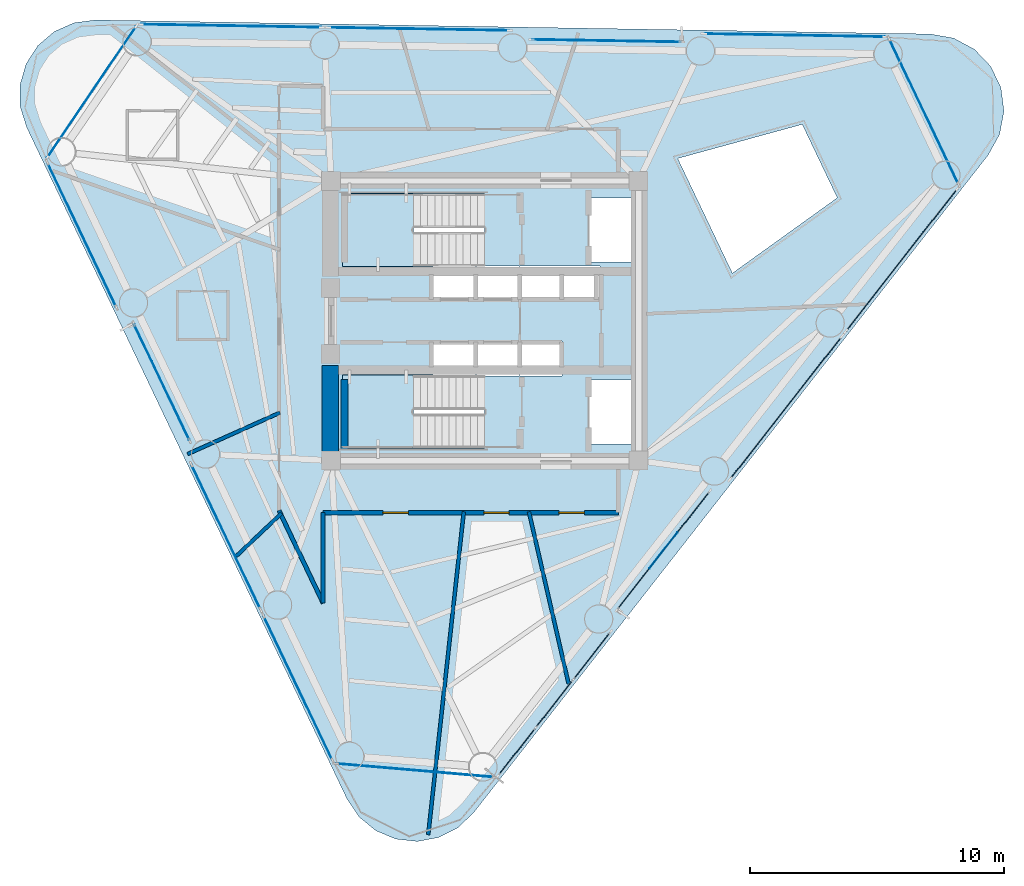
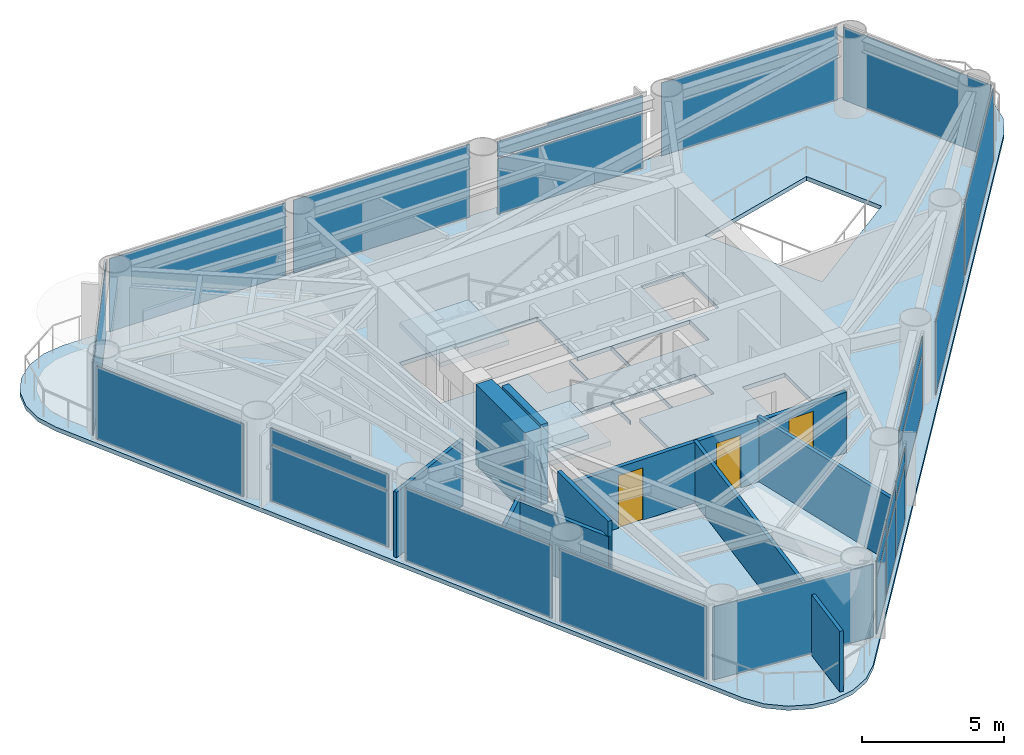
# One storey, part 4 of 9: 26 plates, 9 walls, 3 doors, 3 slabs, 3 openings, 17 elements without a shape of their own.
"""IFC4 building model written with IfcOpenShell, lengths in metres."""

from ifc_helpers import new_model, si_unit, direction, frame, frame_2d, origin, origin_2d, place, context, subcontext, project, spatial, polyline, rectangle, outline, extrude, source, transform, mapped, material, layer, layer_set, type_object, element, fill, aggregate, save


model = new_model("IFC4")

# Units and contexts
model_context = context("Model", 3, precision=1e-05, world=origin(), true_north=direction((0.0, 1.0)))
body_context = subcontext(model_context, "Body", "Model", "MODEL_VIEW")
ifc_project = project(units=[si_unit("LENGTHUNIT", "METRE"), si_unit("AREAUNIT", "SQUARE_METRE"), si_unit("VOLUMEUNIT", "CUBIC_METRE"), si_unit("PLANEANGLEUNIT", "RADIAN"), si_unit("MASSUNIT", "GRAM", prefix="KILO")], contexts=[model_context])

# Site, building, storey
site_placement = place(None, origin())
site = spatial("IfcSite", under=ifc_project, at=site_placement, CompositionType="ELEMENT")
building_placement = place(site_placement, origin())
building = spatial("IfcBuilding", under=site, at=building_placement, Name="Yunling Apex Tower", CompositionType="ELEMENT")
storey_placement = place(building_placement, frame((0.0, 0.0, 201.800048828125)))
storey = spatial("IfcBuildingStorey", under=building, at=storey_placement, Name="L49", CompositionType="ELEMENT", Elevation=201.800048828125)

# Slab
ifc_material_1 = material(Name="Concrete C40", Category="concrete")
ifc_layer_1 = layer(ifc_material_1, 0.1650390625)
ifc_layer_set_1 = layer_set([ifc_layer_1], Name="Concrete C40")
slab_type_1 = type_object("IfcSlabType", Name="SL-FLR-2", PredefinedType="FLOOR", material=ifc_layer_set_1)
slab_1_placement = place(storey_placement, frame((0.0, 0.0, -0.179931640625)))
element("IfcSlab", 1, at=slab_1_placement, inside=storey, type_object=slab_type_1, Name="L49 Composite Tower Floor Slab", PredefinedType="FLOOR", context=body_context, shape_type="SweptSolid", body=[
    extrude(outline(polyline([(-5.42578125, -18.80419921875), (-4.95068359375, -19.513427734375), (-4.29248046875, -20.056884765625), (-3.506103515625, -20.38916015625), (-2.65771484375, -20.482421875), (-1.818115234375, -20.32861328125), (-1.0576171875, -19.941162109375), (-0.439697265625, -19.35205078125), (19.8017578125, 6.518798828125), (20.25244140625, 7.333251953125), (20.427001953125, 8.24755859375), (20.307861328125, 9.1708984375), (19.9072265625, 10.010986328125), (19.2646484375, 10.684326171875), (18.4443359375, 11.1240234375), (17.527587890625, 11.286376953125), (-15.316162109375, 11.8369140625), (-16.16259765625, 11.7275390625), (-16.9423828125, 11.38037109375), (-17.59033203125, 10.824462890625), (-18.0517578125, 10.1064453125), (-18.288330078125, 9.286376953125), (-18.2802734375, 8.4326171875), (-18.0283203125, 7.6171875), (-5.42578125, -18.80419921875)]), holes=[polyline([(12.489013671875, 7.7294921875), (13.86669921875, 4.84130859375), (9.7412109375, 1.87646484375), (7.58837890625, 6.389404296875), (12.489013671875, 7.7294921875)]), polyline([(4.090087890625, -2.320068359375), (5.81005859375, -2.320068359375), (5.81005859375, -4.840087890625), (4.090087890625, -4.840087890625), (4.090087890625, -2.320068359375)]), polyline([(5.81005859375, 4.840087890625), (5.81005859375, 2.320068359375), (4.090087890625, 2.320068359375), (4.090087890625, 4.840087890625), (5.81005859375, 4.840087890625)]), polyline([(1.364990234375, 2.1650390625), (4.534912109375, 2.1650390625), (4.534912109375, 0.794921875), (1.364990234375, 0.794921875), (1.364990234375, 2.1650390625)]), polyline([(3.034912109375, -0.794921875), (3.034912109375, -2.1650390625), (1.364990234375, -2.1650390625), (1.364990234375, -0.794921875), (3.034912109375, -0.794921875)]), polyline([(-2.034912109375, -0.794921875), (-0.364990234375, -0.794921875), (-0.364990234375, -2.139892578125), (-0.3349609375, -2.139892578125), (-0.3349609375, -0.794921875), (1.3349609375, -0.794921875), (1.3349609375, -2.1650390625), (-0.010009765625, -2.1650390625), (-0.010009765625, -5.010009765625), (-5.60009765625, -5.010009765625), (-5.60009765625, -2.139892578125), (-2.034912109375, -2.139892578125), (-2.034912109375, -0.794921875)]), polyline([(-5.60009765625, 2.139892578125), (-5.60009765625, 5.010009765625), (-0.010009765625, 5.010009765625), (-0.010009765625, 2.1650390625), (1.3349609375, 2.1650390625), (1.3349609375, 0.794921875), (-0.3349609375, 0.794921875), (-0.3349609375, 2.139892578125), (-0.364990234375, 2.139892578125), (-0.364990234375, 0.794921875), (-2.034912109375, 0.794921875), (-2.034912109375, 2.139892578125), (-5.60009765625, 2.139892578125)])]), origin(), (0.0, 0.0, 1.0), 0.179931640625),
])

# Stair, slab
stair_type = type_object("IfcStairType", Name="ST-TWR-2", PredefinedType="HALF_TURN_STAIR", material=ifc_material_1)
stair_1_placement = place(storey_placement, origin())
stair_1 = element("IfcStair", 2, at=stair_1_placement, inside=storey, type_object=stair_type, Name="L49 North Core Smokeproof Exit Stair ST-1", PredefinedType="HALF_TURN_STAIR")
ifc_layer_2 = layer(ifc_material_1, 0.195068359375)
ifc_layer_set_2 = layer_set([ifc_layer_2], Name="Concrete C40")
slab_type_2 = type_object("IfcSlabType", Name="SL-LND-1", PredefinedType="LANDING", material=ifc_layer_set_2)
slab_2_placement = place(storey_placement, frame((0.0, 0.0, 1.530029296875)))
slab_2 = element("IfcSlab", 3, at=slab_2_placement, type_object=slab_type_2, Name="ST-1 landing 1", PredefinedType="LANDING", context=body_context, shape_type="SweptSolid", body=[
    extrude(outline(polyline([(-2.81005859375, 5.010009765625), (-5.60009765625, 5.010009765625), (-5.60009765625, 2.139892578125), (-2.81005859375, 2.139892578125), (-2.81005859375, 5.010009765625)])), origin(), (0.0, 0.0, 1.0), 0.19482421875),
])
aggregate(stair_1, [slab_2])

stair_2_placement = place(storey_placement, origin())
stair_2 = element("IfcStair", 4, at=stair_2_placement, inside=storey, type_object=stair_type, Name="L49 South Core Smokeproof Exit Stair ST-2", PredefinedType="HALF_TURN_STAIR")
slab_3_placement = place(storey_placement, frame((0.0, 0.0, 1.530029296875)))
slab_3 = element("IfcSlab", 5, at=slab_3_placement, type_object=slab_type_2, Name="ST-2 landing 1", PredefinedType="LANDING", context=body_context, shape_type="SweptSolid", body=[
    extrude(outline(polyline([(-2.81005859375, -2.139892578125), (-5.60009765625, -2.139892578125), (-5.60009765625, -5.010009765625), (-2.81005859375, -5.010009765625), (-2.81005859375, -2.139892578125)])), origin(), (0.0, 0.0, 1.0), 0.19482421875),
])
aggregate(stair_2, [slab_3])

# Plates
ifc_material_2 = material(Name="Bronze anodised aluminium", Category="aluminium")
ifc_layer_3 = layer(ifc_material_2, 0.011962890625)
ifc_layer_set_3 = layer_set([ifc_layer_3], Name="Bronze anodised aluminium")
plate_type_1 = type_object("IfcPlateType", Name="SP-SHT-1", PredefinedType="SHEET", material=ifc_layer_set_3)
shared_shape_1 = source(origin(), body_context, "Body", "SweptSolid", [
    extrude(rectangle(XDim=1.800048828125, YDim=0.02392578125, at=origin_2d()), origin(), (0.0, 0.0, 1.0), 0.43994140625),
])
for number, where, z_axis, x_axis, name in (
    (6, (7.02587890625, -9.03125, 2.869873046875), (0.0, 0.0, 1.0), (0.616211460536, 0.787580748815, 0.0), "SP-GRV-L49-F1"),
    (7, (4.792724609375, 11.019775390625, 2.869873046875), (0.0, 0.0, 1.0), (-0.999859635577, 0.016754376869, 0.0), "SP-GRV-L49-F2"),
    (8, (-12.71142578125, -2.414306640625, 2.869873046875), (0.0, 0.0, 1.0), (0.430511096808, -0.90258528435, 0.0), "SP-GRV-L49-F3"),
):
    element("IfcPlate", number, at=place(storey_placement, frame(where, z_axis=z_axis, x_axis=x_axis)), inside=storey, type_object=plate_type_1, Name=name, PredefinedType="SHEET", context=body_context, shape_type="MappedRepresentation", body=[
        mapped(shared_shape_1, transform((0.0, 0.0, 0.0), scale=1.0)),
    ])

# Curtain wall, plates
ifc_layer_4 = layer(ifc_material_2, 0.239990234375)
ifc_layer_set_4 = layer_set([ifc_layer_4], Name="Bronze anodised aluminium")
curtain_wall_type = type_object("IfcCurtainWallType", Name="CW-SYS-3", PredefinedType="NOTDEFINED", material=ifc_layer_set_4)
curtain_wall_1_placement = place(storey_placement, origin())
curtain_wall_1 = element("IfcCurtainWall", 9, at=curtain_wall_1_placement, inside=storey, type_object=curtain_wall_type, Name="CW-L49-F1-B1", PredefinedType="NOTDEFINED")
ifc_material_3 = material(Name="Bronze tinted low-E glass", Category="glass")
ifc_layer_5 = layer(ifc_material_3, 0.031982421875)
ifc_layer_set_5 = layer_set([ifc_layer_5], Name="Bronze tinted low-E glass")
plate_type_2 = type_object("IfcPlateType", Name="CW-PNL-3", PredefinedType="CURTAIN_PANEL", material=ifc_layer_set_5)
shared_shape_2 = source(origin(), body_context, "Body", "SweptSolid", [
    extrude(rectangle(XDim=2.306396484375, YDim=0.031982421875, at=origin_2d()), origin(), (0.0, 0.0, 1.0), 2.381103515625),
])
plate_1_placement = place(storey_placement, frame((1.266357421875, -16.9443359375, 0.07177734375), z_axis=(0.0, 0.0, 1.0), x_axis=(0.616200489644, 0.787589332433, 0.0)))
plate_1 = element("IfcPlate", 10, at=plate_1_placement, type_object=plate_type_2, Name="CW-SYS-3 panel 1.1", PredefinedType="CURTAIN_PANEL", context=body_context, shape_type="MappedRepresentation", body=[
    mapped(shared_shape_2, transform((0.0, 0.0, 0.0), scale=1.0)),
])
plate_2_placement = place(storey_placement, frame((4.212158203125, -13.17919921875, 0.07177734375), z_axis=(0.0, 0.0, 1.0), x_axis=(0.616200489644, 0.787589332433, 0.0)))
plate_2 = element("IfcPlate", 11, at=plate_2_placement, type_object=plate_type_2, Name="CW-SYS-3 panel 3.1", PredefinedType="CURTAIN_PANEL", context=body_context, shape_type="MappedRepresentation", body=[
    mapped(shared_shape_2, transform((0.0, 0.0, 0.0), scale=1.0)),
])
shared_shape_3 = source(origin(), body_context, "Body", "SweptSolid", [
    extrude(rectangle(XDim=2.306396484375, YDim=0.031982421875, at=origin_2d()), origin(), (0.0, 0.0, 1.0), 0.680908203125),
])
plate_3_placement = place(storey_placement, frame((1.266357421875, -16.9443359375, 2.51708984375), z_axis=(0.0, 0.0, 1.0), x_axis=(0.616200489644, 0.787589332433, 0.0)))
plate_3 = element("IfcPlate", 12, at=plate_3_placement, type_object=plate_type_2, Name="CW-SYS-3 panel 1.2", PredefinedType="CURTAIN_PANEL", context=body_context, shape_type="MappedRepresentation", body=[
    mapped(shared_shape_3, transform((0.0, 0.0, 0.0), scale=1.0)),
])
plate_4_placement = place(storey_placement, frame((4.212158203125, -13.17919921875, 2.51708984375), z_axis=(0.0, 0.0, 1.0), x_axis=(0.616200489644, 0.787589332433, 0.0)))
plate_4 = element("IfcPlate", 13, at=plate_4_placement, type_object=plate_type_2, Name="CW-SYS-3 panel 3.2", PredefinedType="CURTAIN_PANEL", context=body_context, shape_type="MappedRepresentation", body=[
    mapped(shared_shape_3, transform((0.0, 0.0, 0.0), scale=1.0)),
])
shared_shape_4 = source(origin(), body_context, "Body", "SweptSolid", [
    extrude(rectangle(XDim=2.34619140625, YDim=0.031982421875, at=origin_2d()), origin(), (0.0, 0.0, 1.0), 2.381103515625),
])
plate_5_placement = place(storey_placement, frame((2.7392578125, -15.061767578125, 0.07177734375), z_axis=(0.0, 0.0, 1.0), x_axis=(0.616200489644, 0.787589332433, 0.0)))
plate_5 = element("IfcPlate", 14, at=plate_5_placement, type_object=plate_type_2, Name="CW-SYS-3 panel 2.1", PredefinedType="CURTAIN_PANEL", context=body_context, shape_type="MappedRepresentation", body=[
    mapped(shared_shape_4, transform((0.0, 0.0, 0.0), scale=1.0)),
])
shared_shape_5 = source(origin(), body_context, "Body", "SweptSolid", [
    extrude(rectangle(XDim=2.34619140625, YDim=0.031982421875, at=origin_2d()), origin(), (0.0, 0.0, 1.0), 0.680908203125),
])
plate_6_placement = place(storey_placement, frame((2.7392578125, -15.061767578125, 2.51708984375), z_axis=(0.0, 0.0, 1.0), x_axis=(0.616200489644, 0.787589332433, 0.0)))
plate_6 = element("IfcPlate", 15, at=plate_6_placement, type_object=plate_type_2, Name="CW-SYS-3 panel 2.2", PredefinedType="CURTAIN_PANEL", context=body_context, shape_type="MappedRepresentation", body=[
    mapped(shared_shape_5, transform((0.0, 0.0, 0.0), scale=1.0)),
])
aggregate(curtain_wall_1, [plate_1, plate_3, plate_5, plate_6, plate_2, plate_4])

# Curtain wall, plate
curtain_wall_2_placement = place(storey_placement, origin())
curtain_wall_2 = element("IfcCurtainWall", 16, at=curtain_wall_2_placement, inside=storey, type_object=curtain_wall_type, Name="CW-L49-F1-B2", PredefinedType="NOTDEFINED")
shared_shape_6 = source(origin(), body_context, "Body", "SweptSolid", [
    extrude(rectangle(XDim=5.846923828125, YDim=0.031982421875, at=origin_2d()), origin(), (0.0, 0.0, 1.0), 2.381103515625),
])
plate_7_placement = place(storey_placement, frame((7.025634765625, -9.03125, 0.07177734375), z_axis=(0.0, 0.0, 1.0), x_axis=(0.616216892053, 0.787576499109, 0.0)))
plate_7 = element("IfcPlate", 17, at=plate_7_placement, type_object=plate_type_2, Name="CW-SYS-3 panel 1.1", PredefinedType="CURTAIN_PANEL", context=body_context, shape_type="MappedRepresentation", body=[
    mapped(shared_shape_6, transform((0.0, 0.0, 0.0), scale=1.0)),
])

curtain_wall_3_placement = place(storey_placement, origin())
curtain_wall_3 = element("IfcCurtainWall", 18, at=curtain_wall_3_placement, inside=storey, type_object=curtain_wall_type, Name="CW-L49-F2-B2", PredefinedType="NOTDEFINED")
plate_8_placement = place(storey_placement, frame((4.792724609375, 11.019775390625, 0.07177734375), z_axis=(0.0, 0.0, 1.0), x_axis=(-0.999859564213, 0.016758635119, 0.0)))
plate_8 = element("IfcPlate", 19, at=plate_8_placement, type_object=plate_type_2, Name="CW-SYS-3 panel 1.1", PredefinedType="CURTAIN_PANEL", context=body_context, shape_type="MappedRepresentation", body=[
    mapped(shared_shape_6, transform((0.0, 0.0, 0.0), scale=1.0)),
])

# Plate
shared_shape_7 = source(origin(), body_context, "Body", "SweptSolid", [
    extrude(rectangle(XDim=5.846923828125, YDim=0.031982421875, at=origin_2d()), origin(), (0.0, 0.0, 1.0), 0.680908203125),
])
plate_9_placement = place(storey_placement, frame((7.025634765625, -9.03125, 2.51708984375), z_axis=(0.0, 0.0, 1.0), x_axis=(0.616216892053, 0.787576499109, 0.0)))
plate_9 = element("IfcPlate", 20, at=plate_9_placement, type_object=plate_type_2, Name="CW-SYS-3 panel 1.2", PredefinedType="CURTAIN_PANEL", context=body_context, shape_type="MappedRepresentation", body=[
    mapped(shared_shape_7, transform((0.0, 0.0, 0.0), scale=1.0)),
])

aggregate(curtain_wall_2, [plate_7, plate_9])

plate_10_placement = place(storey_placement, frame((4.792724609375, 11.019775390625, 2.51708984375), z_axis=(0.0, 0.0, 1.0), x_axis=(-0.999859564213, 0.016758635119, 0.0)))
plate_10 = element("IfcPlate", 21, at=plate_10_placement, type_object=plate_type_2, Name="CW-SYS-3 panel 1.2", PredefinedType="CURTAIN_PANEL", context=body_context, shape_type="MappedRepresentation", body=[
    mapped(shared_shape_7, transform((0.0, 0.0, 0.0), scale=1.0)),
])

aggregate(curtain_wall_3, [plate_8, plate_10])

# Curtain wall, plate
curtain_wall_4_placement = place(storey_placement, origin())
curtain_wall_4 = element("IfcCurtainWall", 22, at=curtain_wall_4_placement, inside=storey, type_object=curtain_wall_type, Name="CW-L49-F1-B3", PredefinedType="NOTDEFINED")
shared_shape_8 = source(origin(), body_context, "Body", "SweptSolid", [
    extrude(rectangle(XDim=7.0869140625, YDim=0.031982421875, at=origin_2d()), origin(), (0.0, 0.0, 1.0), 3.1259765625),
])
plate_11_placement = place(storey_placement, frame((11.847900390625, -3.419921875, 0.072021484375), z_axis=(0.0, 0.0, 1.0), x_axis=(0.616200489644, 0.787589332433, 0.0)))
plate_11 = element("IfcPlate", 23, at=plate_11_placement, type_object=plate_type_2, Name="CW-SYS-3 panel 1.1", PredefinedType="CURTAIN_PANEL", context=body_context, shape_type="MappedRepresentation", body=[
    mapped(shared_shape_8, transform((0.0, 0.0, 0.0), scale=1.0)),
])
aggregate(curtain_wall_4, [plate_11])

curtain_wall_5_placement = place(storey_placement, origin())
curtain_wall_5 = element("IfcCurtainWall", 24, at=curtain_wall_5_placement, inside=storey, type_object=curtain_wall_type, Name="CW-L49-F1-B4", PredefinedType="NOTDEFINED")
plate_12_placement = place(storey_placement, frame((16.402099609375, 2.401123046875, 0.072021484375), z_axis=(0.0, 0.0, 1.0), x_axis=(0.616200489644, 0.787589332433, 0.0)))
plate_12 = element("IfcPlate", 25, at=plate_12_placement, type_object=plate_type_2, Name="CW-SYS-3 panel 1.1", PredefinedType="CURTAIN_PANEL", context=body_context, shape_type="MappedRepresentation", body=[
    mapped(shared_shape_8, transform((0.0, 0.0, 0.0), scale=1.0)),
])
aggregate(curtain_wall_5, [plate_12])

curtain_wall_6_placement = place(storey_placement, origin())
curtain_wall_6 = element("IfcCurtainWall", 26, at=curtain_wall_6_placement, inside=storey, type_object=curtain_wall_type, Name="CW-L49-F2-B1", PredefinedType="NOTDEFINED")
plate_13_placement = place(storey_placement, frame((12.188232421875, 11.23583984375, 0.072021484375), z_axis=(0.0, 0.0, 1.0), x_axis=(-0.999859518498, 0.016761362354, 0.0)))
plate_13 = element("IfcPlate", 27, at=plate_13_placement, type_object=plate_type_2, Name="CW-SYS-3 panel 1.1", PredefinedType="CURTAIN_PANEL", context=body_context, shape_type="MappedRepresentation", body=[
    mapped(shared_shape_8, transform((0.0, 0.0, 0.0), scale=1.0)),
])
aggregate(curtain_wall_6, [plate_13])

curtain_wall_7_placement = place(storey_placement, origin())
curtain_wall_7 = element("IfcCurtainWall", 28, at=curtain_wall_7_placement, inside=storey, type_object=curtain_wall_type, Name="CW-L49-F2-B3", PredefinedType="NOTDEFINED")
plate_14_placement = place(storey_placement, frame((-2.591552734375, 11.483642578125, 0.072021484375), z_axis=(0.0, 0.0, 1.0), x_axis=(-0.999859754051, 0.016747305141, 0.0)))
plate_14 = element("IfcPlate", 29, at=plate_14_placement, type_object=plate_type_2, Name="CW-SYS-3 panel 1.1", PredefinedType="CURTAIN_PANEL", context=body_context, shape_type="MappedRepresentation", body=[
    mapped(shared_shape_8, transform((0.0, 0.0, 0.0), scale=1.0)),
])
aggregate(curtain_wall_7, [plate_14])

curtain_wall_8_placement = place(storey_placement, origin())
curtain_wall_8 = element("IfcCurtainWall", 30, at=curtain_wall_8_placement, inside=storey, type_object=curtain_wall_type, Name="CW-L49-F2-B4", PredefinedType="NOTDEFINED")
plate_15_placement = place(storey_placement, frame((-9.9814453125, 11.607421875, 0.072021484375), z_axis=(0.0, 0.0, 1.0), x_axis=(-0.999859518498, 0.016761362354, 0.0)))
plate_15 = element("IfcPlate", 31, at=plate_15_placement, type_object=plate_type_2, Name="CW-SYS-3 panel 1.1", PredefinedType="CURTAIN_PANEL", context=body_context, shape_type="MappedRepresentation", body=[
    mapped(shared_shape_8, transform((0.0, 0.0, 0.0), scale=1.0)),
])
aggregate(curtain_wall_8, [plate_15])

curtain_wall_9_placement = place(storey_placement, origin())
curtain_wall_9 = element("IfcCurtainWall", 32, at=curtain_wall_9_placement, inside=storey, type_object=curtain_wall_type, Name="CW-L49-CRN1", PredefinedType="NOTDEFINED")
shared_shape_9 = source(origin(), body_context, "Body", "SweptSolid", [
    extrude(rectangle(XDim=6.31494140625, YDim=0.031982421875, at=origin_2d()), origin(), (0.0, 0.0, 1.0), 3.1259765625),
])
plate_16_placement = place(storey_placement, frame((17.273193359375, 8.239013671875, 0.072021484375), z_axis=(0.0, 0.0, 1.0), x_axis=(-0.430527245951, 0.902577581426, 0.0)))
plate_16 = element("IfcPlate", 33, at=plate_16_placement, type_object=plate_type_2, Name="CW-SYS-3 panel 1.1", PredefinedType="CURTAIN_PANEL", context=body_context, shape_type="MappedRepresentation", body=[
    mapped(shared_shape_9, transform((0.0, 0.0, 0.0), scale=1.0)),
])
aggregate(curtain_wall_9, [plate_16])

curtain_wall_10_placement = place(storey_placement, origin())
curtain_wall_10 = element("IfcCurtainWall", 34, at=curtain_wall_10_placement, inside=storey, type_object=curtain_wall_type, Name="CW-L49-CRN2", PredefinedType="NOTDEFINED")
shared_shape_10 = source(origin(), body_context, "Body", "SweptSolid", [
    extrude(rectangle(XDim=6.237060546875, YDim=0.031982421875, at=origin_2d()), origin(), (0.0, 0.0, 1.0), 3.1259765625),
])
plate_17_placement = place(storey_placement, frame((-15.465087890625, 9.007080078125, 0.072021484375), z_axis=(0.0, 0.0, 1.0), x_axis=(-0.56057021458, -0.828106898006, 0.0)))
plate_17 = element("IfcPlate", 35, at=plate_17_placement, type_object=plate_type_2, Name="CW-SYS-3 panel 1.1", PredefinedType="CURTAIN_PANEL", context=body_context, shape_type="MappedRepresentation", body=[
    mapped(shared_shape_10, transform((0.0, 0.0, 0.0), scale=1.0)),
])
aggregate(curtain_wall_10, [plate_17])

curtain_wall_11_placement = place(storey_placement, origin())
curtain_wall_11 = element("IfcCurtainWall", 36, at=curtain_wall_11_placement, inside=storey, type_object=curtain_wall_type, Name="CW-L49-CRN3", PredefinedType="NOTDEFINED")
plate_18_placement = place(storey_placement, frame((-2.732666015625, -17.68701171875, 0.072021484375), z_axis=(0.0, 0.0, 1.0), x_axis=(0.996336698637, -0.085517150026, 0.0)))
plate_18 = element("IfcPlate", 37, at=plate_18_placement, type_object=plate_type_2, Name="CW-SYS-3 panel 1.1", PredefinedType="CURTAIN_PANEL", context=body_context, shape_type="MappedRepresentation", body=[
    mapped(shared_shape_10, transform((0.0, 0.0, 0.0), scale=1.0)),
])
aggregate(curtain_wall_11, [plate_18])

curtain_wall_12_placement = place(storey_placement, origin())
curtain_wall_12 = element("IfcCurtainWall", 38, at=curtain_wall_12_placement, inside=storey, type_object=curtain_wall_type, Name="CW-L49-F3-B1", PredefinedType="NOTDEFINED")
shared_shape_11 = source(origin(), body_context, "Body", "SweptSolid", [
    extrude(rectangle(XDim=6.282470703125, YDim=0.031982421875, at=origin_2d()), origin(), (0.0, 0.0, 1.0), 3.1259765625),
])
plate_19_placement = place(storey_placement, frame((-15.85400390625, 3.384033203125, 0.072021484375), z_axis=(0.0, 0.0, 1.0), x_axis=(0.430517577128, -0.902582193367, 0.0)))
plate_19 = element("IfcPlate", 39, at=plate_19_placement, type_object=plate_type_2, Name="CW-SYS-3 panel 1.1", PredefinedType="CURTAIN_PANEL", context=body_context, shape_type="MappedRepresentation", body=[
    mapped(shared_shape_11, transform((0.0, 0.0, 0.0), scale=1.0)),
])
aggregate(curtain_wall_12, [plate_19])

curtain_wall_13_placement = place(storey_placement, origin())
curtain_wall_13 = element("IfcCurtainWall", 40, at=curtain_wall_13_placement, inside=storey, type_object=curtain_wall_type, Name="CW-L49-F3-B3", PredefinedType="NOTDEFINED")
plate_20_placement = place(storey_placement, frame((-10.182861328125, -8.505615234375, 0.072021484375), z_axis=(0.0, 0.0, 1.0), x_axis=(0.430504900417, -0.902588239851, 0.0)))
plate_20 = element("IfcPlate", 41, at=plate_20_placement, type_object=plate_type_2, Name="CW-SYS-3 panel 1.1", PredefinedType="CURTAIN_PANEL", context=body_context, shape_type="MappedRepresentation", body=[
    mapped(shared_shape_11, transform((0.0, 0.0, 0.0), scale=1.0)),
])
aggregate(curtain_wall_13, [plate_20])

curtain_wall_14_placement = place(storey_placement, origin())
curtain_wall_14 = element("IfcCurtainWall", 42, at=curtain_wall_14_placement, inside=storey, type_object=curtain_wall_type, Name="CW-L49-F3-B4", PredefinedType="NOTDEFINED")
plate_21_placement = place(storey_placement, frame((-7.347412109375, -14.450439453125, 0.072021484375), z_axis=(0.0, 0.0, 1.0), x_axis=(0.430517577128, -0.902582193367, 0.0)))
plate_21 = element("IfcPlate", 43, at=plate_21_placement, type_object=plate_type_2, Name="CW-SYS-3 panel 1.1", PredefinedType="CURTAIN_PANEL", context=body_context, shape_type="MappedRepresentation", body=[
    mapped(shared_shape_11, transform((0.0, 0.0, 0.0), scale=1.0)),
])
aggregate(curtain_wall_14, [plate_21])

# Curtain wall, plates
curtain_wall_15_placement = place(storey_placement, origin())
curtain_wall_15 = element("IfcCurtainWall", 44, at=curtain_wall_15_placement, inside=storey, type_object=curtain_wall_type, Name="CW-L49-F3-B2", PredefinedType="NOTDEFINED")
shared_shape_12 = source(origin(), body_context, "Body", "SweptSolid", [
    extrude(rectangle(XDim=5.042236328125, YDim=0.031982421875, at=origin_2d()), origin(), (0.0, 0.0, 1.0), 2.381103515625),
])
plate_22_placement = place(storey_placement, frame((-12.71142578125, -2.41455078125, 0.07177734375), z_axis=(0.0, 0.0, 1.0), x_axis=(0.430515783062, -0.902583049107, 0.0)))
plate_22 = element("IfcPlate", 45, at=plate_22_placement, type_object=plate_type_2, Name="CW-SYS-3 panel 1.1", PredefinedType="CURTAIN_PANEL", context=body_context, shape_type="MappedRepresentation", body=[
    mapped(shared_shape_12, transform((0.0, 0.0, 0.0), scale=1.0)),
])
shared_shape_13 = source(origin(), body_context, "Body", "SweptSolid", [
    extrude(rectangle(XDim=5.042236328125, YDim=0.031982421875, at=origin_2d()), origin(), (0.0, 0.0, 1.0), 0.680908203125),
])
plate_23_placement = place(storey_placement, frame((-12.71142578125, -2.41455078125, 2.51708984375), z_axis=(0.0, 0.0, 1.0), x_axis=(0.430515783062, -0.902583049107, 0.0)))
plate_23 = element("IfcPlate", 46, at=plate_23_placement, type_object=plate_type_2, Name="CW-SYS-3 panel 1.2", PredefinedType="CURTAIN_PANEL", context=body_context, shape_type="MappedRepresentation", body=[
    mapped(shared_shape_13, transform((0.0, 0.0, 0.0), scale=1.0)),
])
aggregate(curtain_wall_15, [plate_22, plate_23])

# Walls
ifc_material_4 = material(Name="Concrete C50", Category="concrete")
ifc_layer_6 = layer(ifc_material_4, 0.64990234375)
ifc_layer_set_6 = layer_set([ifc_layer_6], Name="Concrete C50")
wall_type_1 = type_object("IfcWallType", Name="WL-COR-2", PredefinedType="SHEAR", material=ifc_layer_set_6)
wall_1_placement = place(storey_placement, frame((-6.074951171875, -5.199951171875, 0.0), z_axis=(0.0, 0.0, 1.0), x_axis=(0.0, 1.0, 0.0)))
element("IfcWall", 47, at=wall_1_placement, inside=storey, type_object=wall_type_1, Name="L49 West-South Core Shear Wall", PredefinedType="SHEAR", context=body_context, shape_type="SweptSolid", body=[
    extrude(rectangle(XDim=3.449951171875, YDim=0.64990234375, at=frame_2d((1.72509765625, 0.0))), origin(), (0.0, 0.0, 1.0), 3.449951171875),
])
ifc_layer_7 = layer(ifc_material_1, 0.280029296875)
ifc_layer_set_7 = layer_set([ifc_layer_7], Name="Concrete C40")
wall_type_2 = type_object("IfcWallType", Name="WL-COR-8", PredefinedType="SHEAR", material=ifc_layer_set_7)
wall_2_placement = place(storey_placement, frame((-5.52001953125, -5.050048828125, 0.0), z_axis=(0.0, 0.0, 1.0), x_axis=(0.0, 1.0, 0.0)))
element("IfcWall", 48, at=wall_2_placement, inside=storey, type_object=wall_type_2, Name="L49 ST-2 West Landing Bearing Wall", PredefinedType="SHEAR", context=body_context, shape_type="SweptSolid", body=[
    extrude(rectangle(XDim=2.75, YDim=0.280029296875, at=frame_2d((1.375, 0.0))), origin(), (0.0, 0.0, 1.0), 3.449951171875),
])
ifc_material_5 = material(Name="Gypsum board acoustic partition")
ifc_layer_8 = layer(ifc_material_5, 0.159912109375)
ifc_layer_set_8 = layer_set([ifc_layer_8], Name="Gypsum board acoustic partition")
wall_type_3 = type_object("IfcWallType", Name="WL-PRT-1", PredefinedType="PARTITIONING", material=ifc_layer_set_8)
wall_3_placement = place(storey_placement, frame((-6.360107421875, -11.1083984375, 0.0), z_axis=(0.0, 0.0, 1.0), x_axis=(-0.430489180359, 0.902595737633, 0.0)))
element("IfcWall", 49, at=wall_3_placement, inside=storey, type_object=wall_type_3, Name="WL-CORR-L49-01", PredefinedType="PARTITIONING", context=body_context, shape_type="SweptSolid", body=[
    extrude(rectangle(XDim=4.0419921875, YDim=0.159912109375, at=frame_2d((2.02099609375, 0.0))), origin(), (0.0, 0.0, 1.0), 2.60498046875),
])

# Wall, openings, doors
wall_4_placement = place(storey_placement, frame((5.25, -7.550048828125, 0.0), z_axis=(0.0, 0.0, 1.0), x_axis=(-1.0, 0.0, 0.0)))
wall_4 = element("IfcWall", 50, at=wall_4_placement, inside=storey, type_object=wall_type_3, Name="WL-CORR-L49-09", PredefinedType="PARTITIONING", context=body_context, shape_type="SweptSolid", body=[
    extrude(rectangle(XDim=11.610107421875, YDim=0.159912109375, at=frame_2d((5.80517578125, 0.0))), origin(), (0.0, 0.0, 1.0), 2.60498046875),
])
opening_1_placement = place(wall_4_placement, frame((1.337158203125, 0.0, 0.0)))
opening_1 = element("IfcOpeningElement", 51, at=opening_1_placement, cuts=wall_4, Name="Opening DR-OFF-1", PredefinedType="OPENING", context=body_context, shape_type="SweptSolid", body=[
    extrude(rectangle(XDim=1.0, YDim=2.25, at=frame_2d((0.5, 1.125))), frame((0.0, 0.08984375, 0.0), z_axis=(0.0, -1.0, 0.0), x_axis=(1.0, 0.0, 0.0)), (0.0, 0.0, 1.0), 0.179931640625),
])
opening_2_placement = place(wall_4_placement, frame((4.290283203125, 0.0, 0.0)))
opening_2 = element("IfcOpeningElement", 52, at=opening_2_placement, cuts=wall_4, Name="Opening DR-OFF-1", PredefinedType="OPENING", context=body_context, shape_type="SweptSolid", body=[
    extrude(rectangle(XDim=1.0, YDim=2.25, at=frame_2d((0.5, 1.125))), frame((0.0, 0.08984375, 0.0), z_axis=(0.0, -1.0, 0.0), x_axis=(1.0, 0.0, 0.0)), (0.0, 0.0, 1.0), 0.179931640625),
])
opening_3_placement = place(wall_4_placement, frame((8.25634765625, 0.0, 0.0)))
opening_3 = element("IfcOpeningElement", 53, at=opening_3_placement, cuts=wall_4, Name="Opening DR-OFF-1", PredefinedType="OPENING", context=body_context, shape_type="SweptSolid", body=[
    extrude(rectangle(XDim=1.0, YDim=2.25, at=frame_2d((0.5, 1.125))), frame((0.0, 0.08984375, 0.0), z_axis=(0.0, -1.0, 0.0), x_axis=(1.0, 0.0, 0.0)), (0.0, 0.0, 1.0), 0.179931640625),
])
door_type = type_object("IfcDoorType", Name="DR-OFF-1", OperationType="NOTDEFINED", PredefinedType="DOOR", material=ifc_material_2)
door_1_placement = place(opening_1_placement, origin())
door_1 = element("IfcDoor", 54, at=door_1_placement, inside=storey, type_object=door_type, Name="L49 Concierge Reception Foyer Door", OperationType="SINGLE_SWING_LEFT", OverallHeight=2.25, OverallWidth=1.0, PredefinedType="DOOR", context=body_context, shape_type="SweptSolid", body=[
    extrude(rectangle(XDim=1.0, YDim=2.25, at=frame_2d((0.5, 1.125))), frame((0.0, 0.02490234375, 0.0), z_axis=(0.0, -1.0, 0.0), x_axis=(1.0, 0.0, 0.0)), (0.0, 0.0, 1.0), 0.050048828125),
])
fill(opening_1, door_1)
door_2_placement = place(opening_2_placement, origin())
door_2 = element("IfcDoor", 55, at=door_2_placement, inside=storey, type_object=door_type, Name="L49 Guest Pantry Kitchen Door", OperationType="SINGLE_SWING_RIGHT", OverallHeight=2.25, OverallWidth=1.0, PredefinedType="DOOR", context=body_context, shape_type="SweptSolid", body=[
    extrude(rectangle(XDim=1.0, YDim=2.25, at=frame_2d((0.5, 1.125))), frame((0.0, 0.02490234375, 0.0), z_axis=(0.0, -1.0, 0.0), x_axis=(1.0, 0.0, 0.0)), (0.0, 0.0, 1.0), 0.050048828125),
])
fill(opening_2, door_2)
door_3_placement = place(opening_3_placement, origin())
door_3 = element("IfcDoor", 56, at=door_3_placement, inside=storey, type_object=door_type, Name="L49 Concierge Reception Foyer Door", OperationType="SINGLE_SWING_LEFT", OverallHeight=2.25, OverallWidth=1.0, PredefinedType="DOOR", context=body_context, shape_type="SweptSolid", body=[
    extrude(rectangle(XDim=1.0, YDim=2.25, at=frame_2d((0.5, 1.125))), frame((0.0, 0.02490234375, 0.0), z_axis=(0.0, -1.0, 0.0), x_axis=(1.0, 0.0, 0.0)), (0.0, 0.0, 1.0), 0.050048828125),
])
fill(opening_3, door_3)

# Walls
wall_5_placement = place(storey_placement, frame((-6.360107421875, -7.550048828125, 0.0), z_axis=(0.0, 0.0, 1.0), x_axis=(0.0, -1.0, 0.0)))
element("IfcWall", 57, at=wall_5_placement, inside=storey, type_object=wall_type_3, Name="WL-CORR-L49-10", PredefinedType="PARTITIONING", context=body_context, shape_type="SweptSolid", body=[
    extrude(rectangle(XDim=3.558349609375, YDim=0.159912109375, at=frame_2d((1.779296875, 0.0))), origin(), (0.0, 0.0, 1.0), 3.25),
])
ifc_layer_9 = layer(ifc_material_5, 0.139892578125)
ifc_layer_set_9 = layer_set([ifc_layer_9], Name="Gypsum board acoustic partition")
wall_type_4 = type_object("IfcWallType", Name="WL-PRT-2", PredefinedType="PARTITIONING", material=ifc_layer_set_9)
wall_6_placement = place(storey_placement, frame((-8.06005859375, -3.612548828125, 0.0), z_axis=(0.0, 0.0, 1.0), x_axis=(-0.91252825503, -0.409013671865, 0.0)))
element("IfcWall", 58, at=wall_6_placement, inside=storey, type_object=wall_type_4, Name="WL-RAD-L49-06", PredefinedType="PARTITIONING", context=body_context, shape_type="SweptSolid", body=[
    extrude(rectangle(XDim=3.983642578125, YDim=0.139892578125, at=frame_2d((1.99169921875, 0.0))), origin(), (0.0, 0.0, 1.0), 2.804931640625),
])
wall_7_placement = place(storey_placement, frame((-8.00146484375, -7.57421875, 0.0), z_axis=(0.0, 0.0, 1.0), x_axis=(-0.726232954986, -0.687448685424, 0.0)))
element("IfcWall", 59, at=wall_7_placement, inside=storey, type_object=wall_type_4, Name="WL-RAD-L49-07", PredefinedType="PARTITIONING", context=body_context, shape_type="SweptSolid", body=[
    extrude(rectangle(XDim=2.44873046875, YDim=0.139892578125, at=frame_2d((1.224365234375, 0.0))), origin(), (0.0, 0.0, 1.0), 2.764892578125),
])
wall_8_placement = place(storey_placement, frame((-0.8271484375, -7.510009765625, 0.0), z_axis=(0.0, 0.0, 1.0), x_axis=(-0.109492708445, -0.993987598915, 0.0)))
element("IfcWall", 60, at=wall_8_placement, inside=storey, type_object=wall_type_4, Name="WL-RAD-L49-08", PredefinedType="PARTITIONING", context=body_context, shape_type="SweptSolid", body=[
    extrude(rectangle(XDim=12.78759765625, YDim=0.139892578125, at=frame_2d((6.393798828125, 0.0))), origin(), (0.0, 0.0, 1.0), 2.60498046875),
])
wall_9_placement = place(storey_placement, frame((1.73388671875, -7.510009765625, 0.0), z_axis=(0.0, 0.0, 1.0), x_axis=(0.224951847052, -0.974369881774, 0.0)))
element("IfcWall", 61, at=wall_9_placement, inside=storey, type_object=wall_type_4, Name="WL-RAD-L49-09", PredefinedType="PARTITIONING", context=body_context, shape_type="SweptSolid", body=[
    extrude(rectangle(XDim=6.951416015625, YDim=0.139892578125, at=frame_2d((3.4755859375, 0.0))), origin(), (0.0, 0.0, 1.0), 2.764892578125),
])

save(model, "model.ifc")
